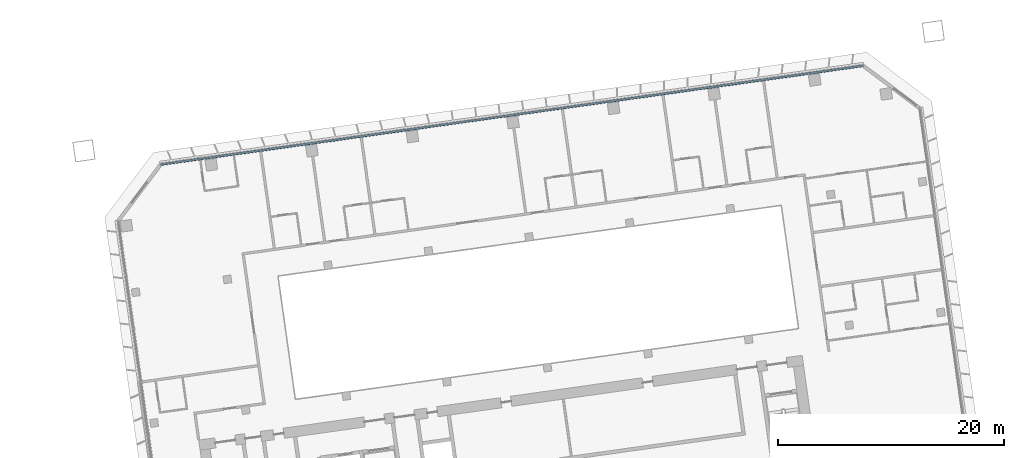
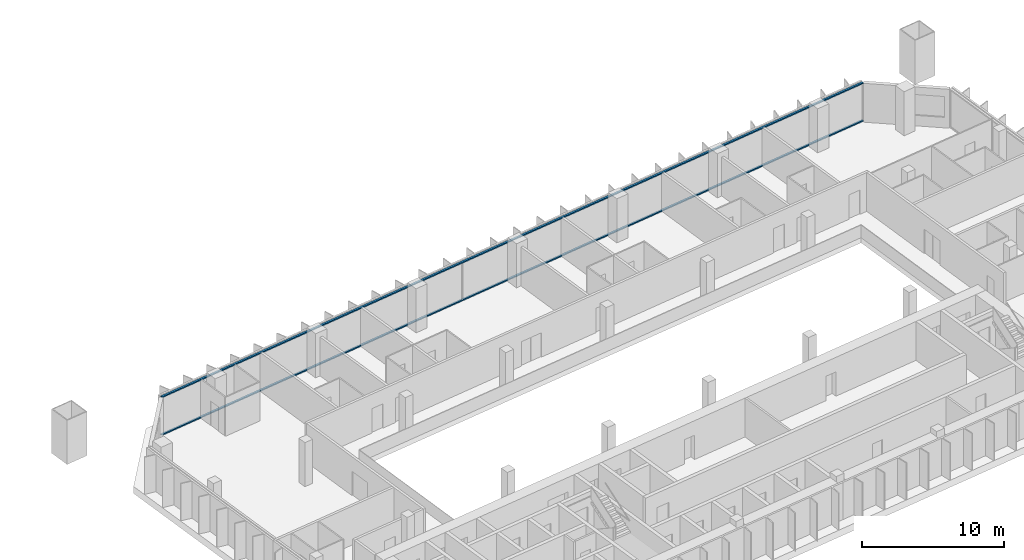
# One storey, part 9 of 24: 2 members, 1 element without a shape of its own.
"""IFC4 building model written with IfcOpenShell, lengths in metres."""

from ifc_helpers import new_model, si_unit, direction, frame, origin, origin_2d, place, context, subcontext, project, spatial, rectangle, extrude, material, material_profile, profile_set, type_object, element, aggregate, save


model = new_model("IFC4")

# Units and contexts
model_context = context("Model", 3, precision=1e-05, world=origin(), true_north=direction((0.0, 1.0)))
body_context = subcontext(model_context, "Body", "Model", "MODEL_VIEW")
ifc_project = project(units=[si_unit("LENGTHUNIT", "METRE"), si_unit("AREAUNIT", "SQUARE_METRE"), si_unit("VOLUMEUNIT", "CUBIC_METRE"), si_unit("PLANEANGLEUNIT", "RADIAN"), si_unit("MASSUNIT", "GRAM", prefix="KILO")], contexts=[model_context])

# Site, building, storey
site_placement = place(None, origin())
site = spatial("IfcSite", under=ifc_project, at=site_placement, CompositionType="ELEMENT")
building_placement = place(site_placement, origin())
building = spatial("IfcBuilding", under=site, at=building_placement, Name="Mirante Cascada Hotel Towers", CompositionType="ELEMENT")
storey_placement = place(building_placement, frame((0.0, 0.0, 81.3)))
storey = spatial("IfcBuildingStorey", under=building, at=storey_placement, Name="L17", CompositionType="ELEMENT", Elevation=81.3)

# Curtain wall, members
ifc_material_1 = material(Name="Aluminium mullion and transom frame with clear laminated glass", Category="aluminium")
curtain_wall_type = type_object("IfcCurtainWallType", Name="Ribbon curtain wall ECW1", PredefinedType="NOTDEFINED", material=ifc_material_1)
curtain_wall_placement = place(storey_placement, origin())
curtain_wall = element("IfcCurtainWall", 1, at=curtain_wall_placement, inside=storey, type_object=curtain_wall_type, Name="Front ribbon wall T2 L17", PredefinedType="NOTDEFINED")
ifc_material_2 = material(Name="Anodised aluminium extrusion", Category="aluminium")
ifc_material_profile = material_profile(ifc_material_2, rectangle(XDim=0.16, YDim=0.1, at=origin_2d()), Name="ECW1 TRANSOM 100x160")
ifc_profile_set = profile_set([ifc_material_profile], Name="Anodised aluminium extrusion")
member_type = type_object("IfcMemberType", Name="ECW1 transom 100x160", PredefinedType="USERDEFINED", material=ifc_profile_set)
member_1_placement = place(storey_placement, frame((94.1582, 26.0521, 0.05), z_axis=(-0.9902681, -0.1391728, 0.0), x_axis=(0.1391728, -0.9902681, 0.0)))
member_1 = element("IfcMember", 2, at=member_1_placement, type_object=member_type, Name="ECW1 sill transom", ObjectType="TRANSOM", PredefinedType="USERDEFINED", context=body_context, shape_type="SweptSolid", body=[
    extrude(rectangle(XDim=0.16, YDim=0.1, at=origin_2d()), origin(), (0.0, 0.0, 1.0), 62.8758),
])
member_2_placement = place(storey_placement, frame((94.1582, 26.0521, 3.3), z_axis=(-0.9902681, -0.1391728, 0.0), x_axis=(0.1391728, -0.9902681, 0.0)))
member_2 = element("IfcMember", 3, at=member_2_placement, type_object=member_type, Name="ECW1 head transom", ObjectType="TRANSOM", PredefinedType="USERDEFINED", context=body_context, shape_type="SweptSolid", body=[
    extrude(rectangle(XDim=0.16, YDim=0.1, at=origin_2d()), origin(), (0.0, 0.0, 1.0), 62.8758),
])
aggregate(curtain_wall, [member_1, member_2])

save(model, "model.ifc")
